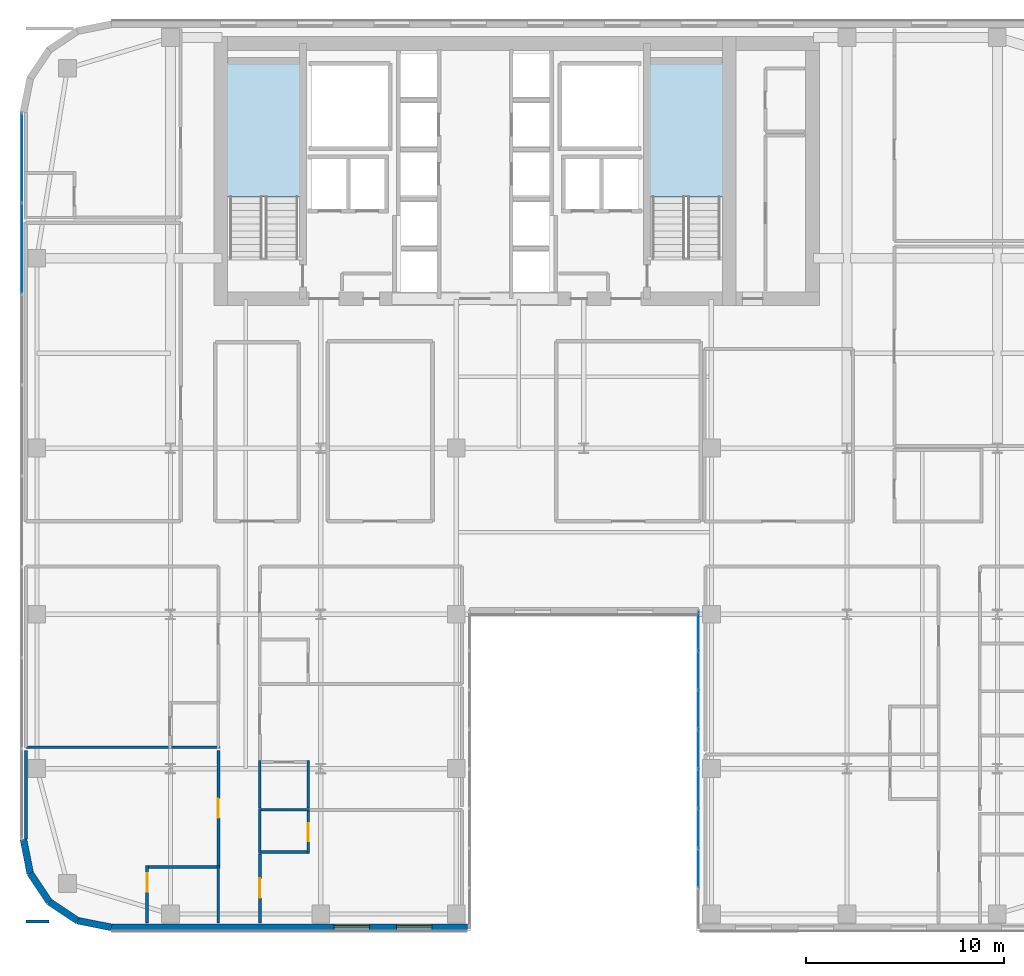
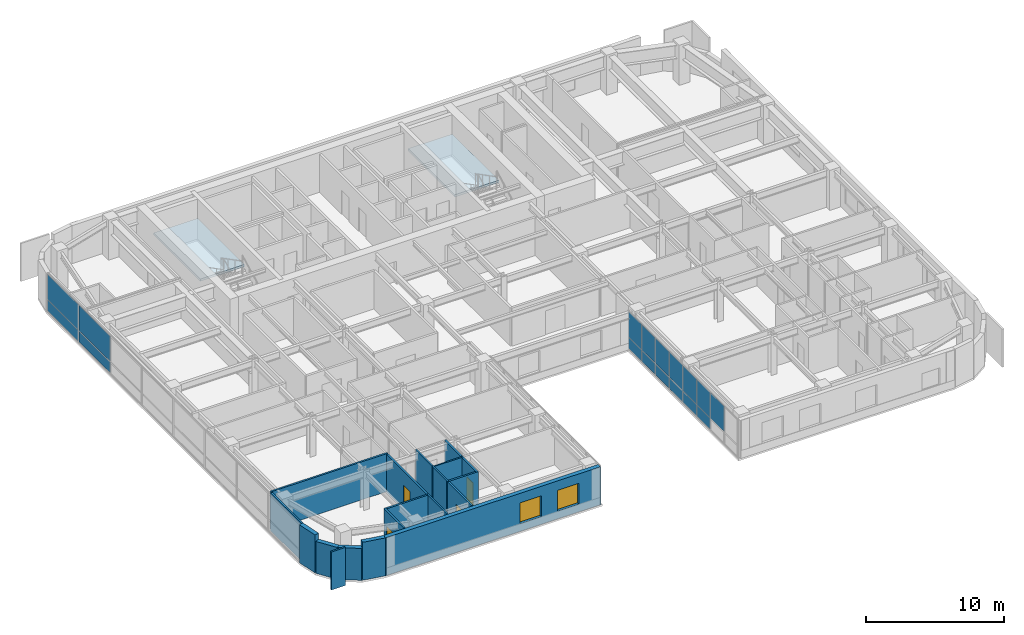
# One storey, part 26 of 37: 19 walls, 17 plates, 4 doors, 2 slabs, 2 windows, 6 openings, 4 elements without a shape of their own.
"""IFC4 building model written with IfcOpenShell, lengths in metres."""

from ifc_helpers import new_model, si_unit, direction, frame, frame_2d, origin, origin_2d, place, context, subcontext, project, spatial, polyline, rectangle, outline, extrude, source, transform, mapped, material, layer, layer_set, type_object, type_shapes, element, fill, aggregate, save


model = new_model("IFC4")

# Units and contexts
model_context = context("Model", 3, precision=1e-05, world=origin(), true_north=direction((0.0, 1.0)))
body_context = subcontext(model_context, "Body", "Model", "MODEL_VIEW")
ifc_project = project(units=[si_unit("LENGTHUNIT", "METRE"), si_unit("AREAUNIT", "SQUARE_METRE"), si_unit("VOLUMEUNIT", "CUBIC_METRE"), si_unit("PLANEANGLEUNIT", "RADIAN"), si_unit("MASSUNIT", "GRAM", prefix="KILO")], contexts=[model_context])

# Site, building, storey
site_placement = place(None, origin())
site = spatial("IfcSite", under=ifc_project, at=site_placement, CompositionType="ELEMENT")
building_placement = place(site_placement, origin())
building = spatial("IfcBuilding", under=site, at=building_placement, Name="Tolvann Quenvar Hotel", CompositionType="ELEMENT")
storey_placement = place(building_placement, frame((0.0, 0.0, 104.449951171875)))
storey = spatial("IfcBuildingStorey", under=building, at=storey_placement, Name="L26", CompositionType="ELEMENT", Elevation=104.449951171875)

# Stair, slab
ifc_material_1 = material(Name="Concrete N40 (40 MPa)", Category="concrete")
stair_type = type_object("IfcStairType", Name="STAIR", PredefinedType="HALF_TURN_STAIR", material=ifc_material_1)
stair_1_placement = place(storey_placement, origin())
stair_1 = element("IfcStair", 1, at=stair_1_placement, inside=storey, type_object=stair_type, Name="L26 ST-C1", PredefinedType="HALF_TURN_STAIR")
ifc_layer_1 = layer(ifc_material_1, 0.199951171875)
ifc_layer_set_1 = layer_set([ifc_layer_1], Name="Concrete N40 (40 MPa)")
slab_type = type_object("IfcSlabType", Name="SLAB_LANDING", PredefinedType="LANDING", material=ifc_layer_set_1)
slab_1_placement = place(storey_placement, frame((0.0, 0.0, 1.574951171875)))
slab_1 = element("IfcSlab", 2, at=slab_1_placement, type_object=slab_type, Name="ST-C1 landing 1", PredefinedType="LANDING", context=body_context, shape_type="SweptSolid", body=[
    extrude(outline(polyline([(14.179931640625, 37.10498046875), (14.179931640625, 43.8798828125), (10.469970703125, 43.8798828125), (10.469970703125, 37.10498046875), (14.179931640625, 37.10498046875)])), origin(), (0.0, 0.0, 1.0), 0.2001953125),
])
aggregate(stair_1, [slab_1])

stair_2_placement = place(storey_placement, origin())
stair_2 = element("IfcStair", 3, at=stair_2_placement, inside=storey, type_object=stair_type, Name="L26 ST-C2", PredefinedType="HALF_TURN_STAIR")
slab_2_placement = place(storey_placement, frame((0.0, 0.0, 1.574951171875)))
slab_2 = element("IfcSlab", 4, at=slab_2_placement, type_object=slab_type, Name="ST-C2 landing 1", PredefinedType="LANDING", context=body_context, shape_type="SweptSolid", body=[
    extrude(outline(polyline([(35.530029296875, 37.10498046875), (35.530029296875, 43.8798828125), (31.820068359375, 43.8798828125), (31.820068359375, 37.10498046875), (35.530029296875, 37.10498046875)])), origin(), (0.0, 0.0, 1.0), 0.2001953125),
])
aggregate(stair_2, [slab_2])

# Curtain wall, plates
ifc_material_2 = material(Name="Thermally broken anodised architectural aluminium 6063-T6 and laminated low-E glass", Category="aluminium")
ifc_layer_2 = layer(ifc_material_2, 0.179931640625)
ifc_layer_set_2 = layer_set([ifc_layer_2], Name="Thermally broken anodised architectural aluminium 6063-T6 and laminated low-E glass")
curtain_wall_type_1 = type_object("IfcCurtainWallType", Name="CW_SYS_SLOT_03", PredefinedType="USERDEFINED", material=ifc_layer_set_2)
curtain_wall_1_placement = place(storey_placement, origin())
curtain_wall_1 = element("IfcCurtainWall", 5, at=curtain_wall_1_placement, inside=storey, type_object=curtain_wall_type_1, Name="Curtain Wall CW-SLOT-03 (CWR-L26-E07)", ObjectType="UNITISED CURTAIN WALL", PredefinedType="USERDEFINED")
ifc_material_3 = material(Name="Low-iron laminated double glazing with solar-control coating", Category="glass")
ifc_layer_3 = layer(ifc_material_3, 0.028076171875)
ifc_layer_set_3 = layer_set([ifc_layer_3], Name="Low-iron laminated double glazing with solar-control coating")
plate_type = type_object("IfcPlateType", Name="CW_PAN_VISION_28", PredefinedType="CURTAIN_PANEL", material=ifc_layer_set_3)
shared_shape_1 = source(origin(), body_context, "Body", "SweptSolid", [
    extrude(rectangle(XDim=1.89501953125, YDim=0.028076171875, at=origin_2d()), origin(), (0.0, 0.0, 1.0), 0.9599609375),
])
plate_1_placement = place(storey_placement, frame((34.2900390625, 15.157470703125, 0.06005859375), z_axis=(0.0, 0.0, 1.0), x_axis=(0.0, -1.0, 0.0)))
plate_1 = element("IfcPlate", 6, at=plate_1_placement, type_object=plate_type, Name="CW-SLOT-03 panel 1.1", PredefinedType="CURTAIN_PANEL", context=body_context, shape_type="MappedRepresentation", body=[
    mapped(shared_shape_1, transform((0.0, 0.0, 0.0), x_axis=(1.0, 0.0, 0.0), y_axis=(0.0, 1.0, 0.0), z_axis=(0.0, 0.0, 1.0), scale=1.0)),
])
shared_shape_2 = source(origin(), body_context, "Body", "SweptSolid", [
    extrude(rectangle(XDim=1.89501953125, YDim=0.028076171875, at=origin_2d()), origin(), (0.0, 0.0, 1.0), 2.22998046875),
])
plate_2_placement = place(storey_placement, frame((34.2900390625, 15.157470703125, 1.080078125), z_axis=(0.0, 0.0, 1.0), x_axis=(0.0, -1.0, 0.0)))
plate_2 = element("IfcPlate", 7, at=plate_2_placement, type_object=plate_type, Name="CW-SLOT-03 panel 1.2", PredefinedType="CURTAIN_PANEL", context=body_context, shape_type="MappedRepresentation", body=[
    mapped(shared_shape_2, transform((0.0, 0.0, 0.0), x_axis=(1.0, 0.0, 0.0), y_axis=(0.0, 1.0, 0.0), z_axis=(0.0, 0.0, 1.0), scale=1.0)),
])
shared_shape_3 = source(origin(), body_context, "Body", "SweptSolid", [
    extrude(rectangle(XDim=1.929931640625, YDim=0.028076171875, at=origin_2d()), origin(), (0.0, 0.0, 1.0), 0.9599609375),
])
plate_3_placement = place(storey_placement, frame((34.2900390625, 13.175048828125, 0.06005859375), z_axis=(0.0, 0.0, 1.0), x_axis=(0.0, -1.0, 0.0)))
plate_3 = element("IfcPlate", 8, at=plate_3_placement, type_object=plate_type, Name="CW-SLOT-03 panel 2.1", PredefinedType="CURTAIN_PANEL", context=body_context, shape_type="MappedRepresentation", body=[
    mapped(shared_shape_3, transform((0.0, 0.0, 0.0), x_axis=(1.0, 0.0, 0.0), y_axis=(0.0, 1.0, 0.0), z_axis=(0.0, 0.0, 1.0), scale=1.0)),
])
plate_4_placement = place(storey_placement, frame((34.2900390625, 11.175048828125, 0.06005859375), z_axis=(0.0, 0.0, 1.0), x_axis=(0.0, -1.0, 0.0)))
plate_4 = element("IfcPlate", 9, at=plate_4_placement, type_object=plate_type, Name="CW-SLOT-03 panel 3.1", PredefinedType="CURTAIN_PANEL", context=body_context, shape_type="MappedRepresentation", body=[
    mapped(shared_shape_3, transform((0.0, 0.0, 0.0), x_axis=(1.0, 0.0, 0.0), y_axis=(0.0, 1.0, 0.0), z_axis=(0.0, 0.0, 1.0), scale=1.0)),
])
plate_5_placement = place(storey_placement, frame((34.2900390625, 9.175048828125, 0.06005859375), z_axis=(0.0, 0.0, 1.0), x_axis=(0.0, -1.0, 0.0)))
plate_5 = element("IfcPlate", 10, at=plate_5_placement, type_object=plate_type, Name="CW-SLOT-03 panel 4.1", PredefinedType="CURTAIN_PANEL", context=body_context, shape_type="MappedRepresentation", body=[
    mapped(shared_shape_3, transform((0.0, 0.0, 0.0), x_axis=(1.0, 0.0, 0.0), y_axis=(0.0, 1.0, 0.0), z_axis=(0.0, 0.0, 1.0), scale=1.0)),
])
plate_6_placement = place(storey_placement, frame((34.2900390625, 7.175048828125, 0.06005859375), z_axis=(0.0, 0.0, 1.0), x_axis=(0.0, -1.0, 0.0)))
plate_6 = element("IfcPlate", 11, at=plate_6_placement, type_object=plate_type, Name="CW-SLOT-03 panel 5.1", PredefinedType="CURTAIN_PANEL", context=body_context, shape_type="MappedRepresentation", body=[
    mapped(shared_shape_3, transform((0.0, 0.0, 0.0), x_axis=(1.0, 0.0, 0.0), y_axis=(0.0, 1.0, 0.0), z_axis=(0.0, 0.0, 1.0), scale=1.0)),
])
plate_7_placement = place(storey_placement, frame((34.2900390625, 5.175048828125, 0.06005859375), z_axis=(0.0, 0.0, 1.0), x_axis=(0.0, -1.0, 0.0)))
plate_7 = element("IfcPlate", 12, at=plate_7_placement, type_object=plate_type, Name="CW-SLOT-03 panel 6.1", PredefinedType="CURTAIN_PANEL", context=body_context, shape_type="MappedRepresentation", body=[
    mapped(shared_shape_3, transform((0.0, 0.0, 0.0), x_axis=(1.0, 0.0, 0.0), y_axis=(0.0, 1.0, 0.0), z_axis=(0.0, 0.0, 1.0), scale=1.0)),
])
shared_shape_4 = source(origin(), body_context, "Body", "SweptSolid", [
    extrude(rectangle(XDim=1.929931640625, YDim=0.028076171875, at=origin_2d()), origin(), (0.0, 0.0, 1.0), 2.22998046875),
])
plate_8_placement = place(storey_placement, frame((34.2900390625, 13.175048828125, 1.080078125), z_axis=(0.0, 0.0, 1.0), x_axis=(0.0, -1.0, 0.0)))
plate_8 = element("IfcPlate", 13, at=plate_8_placement, type_object=plate_type, Name="CW-SLOT-03 panel 2.2", PredefinedType="CURTAIN_PANEL", context=body_context, shape_type="MappedRepresentation", body=[
    mapped(shared_shape_4, transform((0.0, 0.0, 0.0), x_axis=(1.0, 0.0, 0.0), y_axis=(0.0, 1.0, 0.0), z_axis=(0.0, 0.0, 1.0), scale=1.0)),
])
plate_9_placement = place(storey_placement, frame((34.2900390625, 11.175048828125, 1.080078125), z_axis=(0.0, 0.0, 1.0), x_axis=(0.0, -1.0, 0.0)))
plate_9 = element("IfcPlate", 14, at=plate_9_placement, type_object=plate_type, Name="CW-SLOT-03 panel 3.2", PredefinedType="CURTAIN_PANEL", context=body_context, shape_type="MappedRepresentation", body=[
    mapped(shared_shape_4, transform((0.0, 0.0, 0.0), x_axis=(1.0, 0.0, 0.0), y_axis=(0.0, 1.0, 0.0), z_axis=(0.0, 0.0, 1.0), scale=1.0)),
])
plate_10_placement = place(storey_placement, frame((34.2900390625, 9.175048828125, 1.080078125), z_axis=(0.0, 0.0, 1.0), x_axis=(0.0, -1.0, 0.0)))
plate_10 = element("IfcPlate", 15, at=plate_10_placement, type_object=plate_type, Name="CW-SLOT-03 panel 4.2", PredefinedType="CURTAIN_PANEL", context=body_context, shape_type="MappedRepresentation", body=[
    mapped(shared_shape_4, transform((0.0, 0.0, 0.0), x_axis=(1.0, 0.0, 0.0), y_axis=(0.0, 1.0, 0.0), z_axis=(0.0, 0.0, 1.0), scale=1.0)),
])
plate_11_placement = place(storey_placement, frame((34.2900390625, 7.175048828125, 1.080078125), z_axis=(0.0, 0.0, 1.0), x_axis=(0.0, -1.0, 0.0)))
plate_11 = element("IfcPlate", 16, at=plate_11_placement, type_object=plate_type, Name="CW-SLOT-03 panel 5.2", PredefinedType="CURTAIN_PANEL", context=body_context, shape_type="MappedRepresentation", body=[
    mapped(shared_shape_4, transform((0.0, 0.0, 0.0), x_axis=(1.0, 0.0, 0.0), y_axis=(0.0, 1.0, 0.0), z_axis=(0.0, 0.0, 1.0), scale=1.0)),
])
plate_12_placement = place(storey_placement, frame((34.2900390625, 5.175048828125, 1.080078125), z_axis=(0.0, 0.0, 1.0), x_axis=(0.0, -1.0, 0.0)))
plate_12 = element("IfcPlate", 17, at=plate_12_placement, type_object=plate_type, Name="CW-SLOT-03 panel 6.2", PredefinedType="CURTAIN_PANEL", context=body_context, shape_type="MappedRepresentation", body=[
    mapped(shared_shape_4, transform((0.0, 0.0, 0.0), x_axis=(1.0, 0.0, 0.0), y_axis=(0.0, 1.0, 0.0), z_axis=(0.0, 0.0, 1.0), scale=1.0)),
])
plate_13_placement = place(storey_placement, frame((34.2900390625, 3.175048828125, 1.080078125), z_axis=(0.0, 0.0, 1.0), x_axis=(0.0, -1.0, 0.0)))
plate_13 = element("IfcPlate", 18, at=plate_13_placement, type_object=plate_type, Name="CW-SLOT-03 panel 7.2", PredefinedType="CURTAIN_PANEL", context=body_context, shape_type="MappedRepresentation", body=[
    mapped(shared_shape_4, transform((0.0, 0.0, 0.0), x_axis=(1.0, 0.0, 0.0), y_axis=(0.0, 1.0, 0.0), z_axis=(0.0, 0.0, 1.0), scale=1.0)),
])
aggregate(curtain_wall_1, [plate_1, plate_2, plate_3, plate_8, plate_4, plate_9, plate_5, plate_10, plate_6, plate_11, plate_7, plate_12, plate_13])

ifc_layer_4 = layer(ifc_material_2, 0.179931640625)
ifc_layer_set_4 = layer_set([ifc_layer_4], Name="Thermally broken anodised architectural aluminium 6063-T6 and laminated low-E glass")
curtain_wall_type_2 = type_object("IfcCurtainWallType", Name="CW_SYS_BAND_04", PredefinedType="USERDEFINED", material=ifc_layer_set_4)
curtain_wall_2_placement = place(storey_placement, origin())
curtain_wall_2 = element("IfcCurtainWall", 19, at=curtain_wall_2_placement, inside=storey, type_object=curtain_wall_type_2, Name="Curtain Wall CW-BAND-04 (CWR-L26-E23)", ObjectType="UNITISED CURTAIN WALL", PredefinedType="USERDEFINED")
shared_shape_5 = source(origin(), body_context, "Body", "SweptSolid", [
    extrude(rectangle(XDim=4.49072265625, YDim=0.028076171875, at=origin_2d()), origin(), (0.0, 0.0, 1.0), 0.9599609375),
])
plate_14_placement = place(storey_placement, frame((0.090087890625, 39.0673828125, 0.06005859375), z_axis=(0.0, 0.0, 1.0), x_axis=(0.0, -1.0, 0.0)))
plate_14 = element("IfcPlate", 20, at=plate_14_placement, type_object=plate_type, Name="CW-BAND-04 panel 1.1", PredefinedType="CURTAIN_PANEL", context=body_context, shape_type="MappedRepresentation", body=[
    mapped(shared_shape_5, transform((0.0, 0.0, 0.0), x_axis=(1.0, 0.0, 0.0), y_axis=(0.0, 1.0, 0.0), z_axis=(0.0, 0.0, 1.0), scale=1.0)),
])
shared_shape_6 = source(origin(), body_context, "Body", "SweptSolid", [
    extrude(rectangle(XDim=4.49072265625, YDim=0.028076171875, at=origin_2d()), origin(), (0.0, 0.0, 1.0), 2.22998046875),
])
plate_15_placement = place(storey_placement, frame((0.090087890625, 39.0673828125, 1.080078125), z_axis=(0.0, 0.0, 1.0), x_axis=(0.0, -1.0, 0.0)))
plate_15 = element("IfcPlate", 21, at=plate_15_placement, type_object=plate_type, Name="CW-BAND-04 panel 1.2", PredefinedType="CURTAIN_PANEL", context=body_context, shape_type="MappedRepresentation", body=[
    mapped(shared_shape_6, transform((0.0, 0.0, 0.0), x_axis=(1.0, 0.0, 0.0), y_axis=(0.0, 1.0, 0.0), z_axis=(0.0, 0.0, 1.0), scale=1.0)),
])
shared_shape_7 = source(origin(), body_context, "Body", "SweptSolid", [
    extrude(rectangle(XDim=4.525634765625, YDim=0.028076171875, at=origin_2d()), origin(), (0.0, 0.0, 1.0), 0.9599609375),
])
plate_16_placement = place(storey_placement, frame((0.090087890625, 34.4892578125, 0.06005859375), z_axis=(0.0, 0.0, 1.0), x_axis=(0.0, -1.0, 0.0)))
plate_16 = element("IfcPlate", 22, at=plate_16_placement, type_object=plate_type, Name="CW-BAND-04 panel 2.1", PredefinedType="CURTAIN_PANEL", context=body_context, shape_type="MappedRepresentation", body=[
    mapped(shared_shape_7, transform((0.0, 0.0, 0.0), x_axis=(1.0, 0.0, 0.0), y_axis=(0.0, 1.0, 0.0), z_axis=(0.0, 0.0, 1.0), scale=1.0)),
])
shared_shape_8 = source(origin(), body_context, "Body", "SweptSolid", [
    extrude(rectangle(XDim=4.525634765625, YDim=0.028076171875, at=origin_2d()), origin(), (0.0, 0.0, 1.0), 2.22998046875),
])
type_shapes(plate_type, [shared_shape_1, shared_shape_2, shared_shape_3, shared_shape_4, shared_shape_5, shared_shape_6, shared_shape_7, shared_shape_8])
plate_17_placement = place(storey_placement, frame((0.090087890625, 34.4892578125, 1.080078125), z_axis=(0.0, 0.0, 1.0), x_axis=(0.0, -1.0, 0.0)))
plate_17 = element("IfcPlate", 23, at=plate_17_placement, type_object=plate_type, Name="CW-BAND-04 panel 2.2", PredefinedType="CURTAIN_PANEL", context=body_context, shape_type="MappedRepresentation", body=[
    mapped(shared_shape_8, transform((0.0, 0.0, 0.0), x_axis=(1.0, 0.0, 0.0), y_axis=(0.0, 1.0, 0.0), z_axis=(0.0, 0.0, 1.0), scale=1.0)),
])
aggregate(curtain_wall_2, [plate_14, plate_15, plate_16, plate_17])

# Walls
ifc_material_4 = material(Name="Kiln-fired red and buff architectural clay brickwork and terracotta masonry", Category="masonry")
ifc_layer_5 = layer(ifc_material_4, 0.35009765625)
ifc_layer_set_5 = layer_set([ifc_layer_5], Name="Kiln-fired red and buff architectural clay brickwork and terracotta masonry")
wall_type_1 = type_object("IfcWallType", Name="WALL_EXT_BRICK_350", PredefinedType="SOLIDWALL", material=ifc_layer_set_5)
for number, where, z_axis, x_axis, name in (
    (24, (0.514892578125, 2.907958984375, 0.0), (0.0, 0.0, 1.0), (0.55554893791, -0.831483840845, 0.0), "Exterior Chicago Brick Wall L26-E01"),
    (25, (1.473388671875, 1.473388671875, 0.0), (0.0, 0.0, 1.0), (0.831483840845, -0.55554893791, 0.0), "Exterior Chicago Brick Wall L26-E02"),
):
    element("IfcWall", number, at=place(storey_placement, frame(where, z_axis=z_axis, x_axis=x_axis)), inside=storey, type_object=wall_type_1, Name=name, PredefinedType="SOLIDWALL", context=body_context, shape_type="SweptSolid", body=[
        extrude(rectangle(XDim=1.725341796875, YDim=0.35009765625, at=frame_2d((0.86279296875, 0.0))), origin(), (0.0, 0.0, 1.0), 2.83203125),
    ])
wall_1_placement = place(storey_placement, frame((2.907958984375, 0.514892578125, 0.0), z_axis=(0.0, 0.0, 1.0), x_axis=(0.980800971659, -0.195011420161, 0.0)))
element("IfcWall", 26, at=wall_1_placement, inside=storey, type_object=wall_type_1, Name="Exterior Chicago Brick Wall L26-E03", PredefinedType="SOLIDWALL", context=body_context, shape_type="SweptSolid", body=[
    extrude(rectangle(XDim=1.74267578125, YDim=0.35009765625, at=frame_2d((0.871337890625, 0.0))), origin(), (0.0, 0.0, 1.0), 3.3701171875),
])

# Wall, openings, windows
wall_2_placement = place(storey_placement, frame((4.6171875, 0.175048828125, 0.0), z_axis=(0.0, 0.0, 1.0), x_axis=(1.0, 0.0, 0.0)))
wall_2 = element("IfcWall", 27, at=wall_2_placement, inside=storey, type_object=wall_type_1, Name="Exterior Chicago Brick Wall L26-E04", PredefinedType="SOLIDWALL", context=body_context, shape_type="SweptSolid", body=[
    extrude(rectangle(XDim=18.0078125, YDim=0.35009765625, at=frame_2d((9.00390625, 0.0))), origin(), (0.0, 0.0, 1.0), 3.3701171875),
])
opening_1_placement = place(wall_2_placement, frame((11.2548828125, 0.0, 0.679931640625)))
opening_1 = element("IfcOpeningElement", 28, at=opening_1_placement, cuts=wall_2, Name="Opening W-03", PredefinedType="OPENING", context=body_context, shape_type="SweptSolid", body=[
    extrude(rectangle(XDim=1.800048828125, YDim=1.85009765625, at=frame_2d((0.89990234375, 0.925048828125))), frame((0.0, 0.18505859375, 0.0), z_axis=(0.0, -1.0, 0.0), x_axis=(1.0, 0.0, 0.0)), (0.0, 0.0, 1.0), 0.3701171875),
])
opening_2_placement = place(wall_2_placement, frame((14.406982421875, 0.0, 0.679931640625)))
opening_2 = element("IfcOpeningElement", 29, at=opening_2_placement, cuts=wall_2, Name="Opening W-03", PredefinedType="OPENING", context=body_context, shape_type="SweptSolid", body=[
    extrude(rectangle(XDim=1.800048828125, YDim=1.85009765625, at=frame_2d((0.89990234375, 0.925048828125))), frame((0.0, 0.18505859375, 0.0), z_axis=(0.0, -1.0, 0.0), x_axis=(1.0, 0.0, 0.0)), (0.0, 0.0, 1.0), 0.3701171875),
])
ifc_material_5 = material(Name="Thermally broken bronze-anodised aluminium frame with double low-E glazing", Category="aluminium")
window_type = type_object("IfcWindowType", Name="WIN_CHI_1800x2050", PartitioningType="TRIPLE_PANEL_HORIZONTAL", PredefinedType="WINDOW", material=ifc_material_5)
shared_shape_9 = source(origin(), body_context, "Body", "SweptSolid", [
    extrude(rectangle(XDim=1.800048828125, YDim=1.85009765625, at=frame_2d((0.89990234375, 0.925048828125))), frame((0.0, 0.090087890625, 0.0), z_axis=(0.0, -1.0, 0.0), x_axis=(1.0, 0.0, 0.0)), (0.0, 0.0, 1.0), 0.06005859375),
])
type_shapes(window_type, [shared_shape_9])
window_1_placement = place(opening_1_placement, origin())
window_1 = element("IfcWindow", 30, at=window_1_placement, inside=storey, type_object=window_type, Name="Chicago Window W-03 (EW-L26-E04-W01)", OverallHeight=1.85009765625, OverallWidth=1.800048828125, PartitioningType="TRIPLE_PANEL_HORIZONTAL", PredefinedType="WINDOW", context=body_context, shape_type="MappedRepresentation", body=[
    mapped(shared_shape_9, transform((0.0, 0.0, 0.0), x_axis=(1.0, 0.0, 0.0), y_axis=(0.0, 1.0, 0.0), z_axis=(0.0, 0.0, 1.0), scale=1.0)),
])
fill(opening_1, window_1)
window_2_placement = place(opening_2_placement, origin())
window_2 = element("IfcWindow", 31, at=window_2_placement, inside=storey, type_object=window_type, Name="Chicago Window W-03 (EW-L26-E04-W02)", OverallHeight=1.85009765625, OverallWidth=1.800048828125, PartitioningType="TRIPLE_PANEL_HORIZONTAL", PredefinedType="WINDOW", context=body_context, shape_type="MappedRepresentation", body=[
    mapped(shared_shape_9, transform((0.0, 0.0, 0.0), x_axis=(1.0, 0.0, 0.0), y_axis=(0.0, 1.0, 0.0), z_axis=(0.0, 0.0, 1.0), scale=1.0)),
])
fill(opening_2, window_2)

# Walls
wall_3_placement = place(storey_placement, frame((0.175048828125, 4.6171875, 0.0), z_axis=(0.0, 0.0, 1.0), x_axis=(0.195011420161, -0.980800971659, 0.0)))
element("IfcWall", 32, at=wall_3_placement, inside=storey, type_object=wall_type_1, Name="Exterior Chicago Brick Wall L26-E24", PredefinedType="SOLIDWALL", context=body_context, shape_type="SweptSolid", body=[
    extrude(rectangle(XDim=1.74267578125, YDim=0.35009765625, at=frame_2d((0.871337890625, 0.0))), origin(), (0.0, 0.0, 1.0), 3.3701171875),
])
ifc_material_6 = material(Name="Moisture-resistant acoustic plumbing wall assembly")
ifc_layer_6 = layer(ifc_material_6, 0.1201171875)
ifc_layer_set_6 = layer_set([ifc_layer_6], Name="Moisture-resistant acoustic plumbing wall assembly")
wall_type_2 = type_object("IfcWallType", Name="WALL_PART_BATH_120", PredefinedType="PLUMBINGWALL", material=ifc_layer_set_6)
wall_4_placement = place(storey_placement, frame((10.030029296875, 0.405029296875, 0.0), z_axis=(0.0, 0.0, 1.0), x_axis=(0.0, 1.0, 0.0)))
element("IfcWall", 33, at=wall_4_placement, inside=storey, type_object=wall_type_2, Name="Non-Rated Plumbing Partition PT-SPC-L26-ENS-WO01-E", PredefinedType="PLUMBINGWALL", context=body_context, shape_type="SweptSolid", body=[
    extrude(rectangle(XDim=2.89501953125, YDim=0.1201171875, at=frame_2d((1.447509765625, 0.0))), origin(), (0.0, 0.0, 1.0), 3.3701171875),
])
wall_5_placement = place(storey_placement, frame((12.050048828125, 6.1201171875, 0.0), z_axis=(0.0, 0.0, 1.0), x_axis=(1.0, 0.0, 0.0)))
element("IfcWall", 34, at=wall_5_placement, inside=storey, type_object=wall_type_2, Name="Non-Rated Plumbing Partition PT-SPC-L26-ENS-WI01-N", PredefinedType="PLUMBINGWALL", context=body_context, shape_type="SweptSolid", body=[
    extrude(rectangle(XDim=2.58984375, YDim=0.1201171875, at=frame_2d((1.294921875, 0.0))), origin(), (0.0, 0.0, 1.0), 3.3701171875),
])
wall_6_placement = place(storey_placement, frame((12.1201171875, 3.906982421875, 0.0), z_axis=(0.0, 0.0, 1.0), x_axis=(0.0, 1.0, 0.0)))
element("IfcWall", 35, at=wall_6_placement, inside=storey, type_object=wall_type_2, Name="Non-Rated Plumbing Partition PT-SPC-L26-ENS-WI01-W", PredefinedType="PLUMBINGWALL", context=body_context, shape_type="SweptSolid", body=[
    extrude(rectangle(XDim=2.282958984375, YDim=0.1201171875, at=frame_2d((1.1416015625, 0.0))), origin(), (0.0, 0.0, 1.0), 3.3701171875),
])
wall_7_placement = place(storey_placement, frame((12.1201171875, 6.2099609375, 0.0), z_axis=(0.0, 0.0, 1.0), x_axis=(0.0, 1.0, 0.0)))
element("IfcWall", 36, at=wall_7_placement, inside=storey, type_object=wall_type_2, Name="Non-Rated Plumbing Partition PT-SPC-L26-ENS-WI02-W", PredefinedType="PLUMBINGWALL", context=body_context, shape_type="SweptSolid", body=[
    extrude(rectangle(XDim=2.39013671875, YDim=0.1201171875, at=frame_2d((1.195068359375, 0.0))), origin(), (0.0, 0.0, 1.0), 3.3701171875),
])

# Wall, opening, door
ifc_material_7 = material(Name="Acoustic twin-stud fire-rated gypsum plasterboard partition")
ifc_layer_7 = layer(ifc_material_7, 0.14990234375)
ifc_layer_set_7 = layer_set([ifc_layer_7], Name="Acoustic twin-stud fire-rated gypsum plasterboard partition")
wall_type_3 = type_object("IfcWallType", Name="WALL_PART_SUITE_150", PredefinedType="PARTITIONING", material=ifc_layer_set_7)
wall_8_placement = place(storey_placement, frame((6.429931640625, 0.405029296875, 0.0), z_axis=(0.0, 0.0, 1.0), x_axis=(0.0, 1.0, 0.0)))
wall_8 = element("IfcWall", 37, at=wall_8_placement, inside=storey, type_object=wall_type_3, Name="Interior Partition PT-SPC-L26-ENS-WO01-ENT", PredefinedType="PARTITIONING", context=body_context, shape_type="SweptSolid", body=[
    extrude(rectangle(XDim=2.89501953125, YDim=0.14990234375, at=frame_2d((1.447509765625, 0.0))), origin(), (0.0, 0.0, 1.0), 3.3701171875),
])
opening_3_placement = place(wall_8_placement, frame((1.580078125, 0.0, 0.0)))
opening_3 = element("IfcOpeningElement", 38, at=opening_3_placement, cuts=wall_8, Name="Opening WD-01", PredefinedType="OPENING", context=body_context, shape_type="SweptSolid", body=[
    extrude(rectangle(XDim=0.919921875, YDim=2.010009765625, at=frame_2d((0.4599609375, 1.0048828125))), frame((0.0, 0.0849609375, 0.0), z_axis=(0.0, -1.0, 0.0), x_axis=(1.0, 0.0, 0.0)), (0.0, 0.0, 1.0), 0.169921875),
])
ifc_material_8 = material(Name="Solid-core American oak acoustic fire door leaf in steel frame", Category="steel")
door_type_1 = type_object("IfcDoorType", Name="DOOR_WC_920", OperationType="NOTDEFINED", PredefinedType="DOOR", material=ifc_material_8)
shared_shape_10 = source(origin(), body_context, "Body", "SweptSolid", [
    extrude(rectangle(XDim=0.919921875, YDim=2.010009765625, at=frame_2d((0.4599609375, 1.0048828125))), frame((0.0, 0.02490234375, 0.0), z_axis=(0.0, -1.0, 0.0), x_axis=(1.0, 0.0, 0.0)), (0.0, 0.0, 1.0), 0.050048828125),
])
type_shapes(door_type_1, [shared_shape_10])
door_1_placement = place(opening_3_placement, origin())
door_1 = element("IfcDoor", 39, at=door_1_placement, inside=storey, type_object=door_type_1, Name="Interior Door DOOR-SPC-L26-ENS-WO01", OperationType="SINGLE_SWING_LEFT", OverallHeight=2.010009765625, OverallWidth=0.919921875, PredefinedType="DOOR", context=body_context, shape_type="MappedRepresentation", body=[
    mapped(shared_shape_10, transform((0.0, 0.0, 0.0), x_axis=(1.0, 0.0, 0.0), y_axis=(0.0, 1.0, 0.0), z_axis=(0.0, 0.0, 1.0), scale=1.0)),
])
fill(opening_3, door_1)

# Walls
wall_9_placement = place(storey_placement, frame((6.360107421875, 3.22998046875, 0.0), z_axis=(0.0, 0.0, 1.0), x_axis=(1.0, 0.0, 0.0)))
element("IfcWall", 40, at=wall_9_placement, inside=storey, type_object=wall_type_3, Name="Interior Partition PT-SPC-L26-ENS-WO01-N", PredefinedType="PARTITIONING", context=body_context, shape_type="SweptSolid", body=[
    extrude(rectangle(XDim=3.739990234375, YDim=0.14990234375, at=frame_2d((1.8701171875, 0.0))), origin(), (0.0, 0.0, 1.0), 3.3701171875),
])
wall_10_placement = place(storey_placement, frame((0.300048828125, 9.280029296875, 0.0), z_axis=(0.0, 0.0, 1.0), x_axis=(1.0, 0.0, 0.0)))
element("IfcWall", 41, at=wall_10_placement, inside=storey, type_object=wall_type_3, Name="Interior Partition PT-SPC-L26-ENS-WO02-S", PredefinedType="PARTITIONING", context=body_context, shape_type="SweptSolid", body=[
    extrude(rectangle(XDim=9.800048828125, YDim=0.14990234375, at=frame_2d((4.89990234375, 0.0))), origin(), (0.0, 0.0, 1.0), 3.3701171875),
])

# Wall, opening, door
wall_11_placement = place(storey_placement, frame((14.570068359375, 3.906982421875, 0.0), z_axis=(0.0, 0.0, 1.0), x_axis=(0.0, 1.0, 0.0)))
wall_11 = element("IfcWall", 42, at=wall_11_placement, inside=storey, type_object=wall_type_3, Name="Interior Partition PT-SPC-L26-ENS-WI01-ENT", PredefinedType="PARTITIONING", context=body_context, shape_type="SweptSolid", body=[
    extrude(rectangle(XDim=2.282958984375, YDim=0.14990234375, at=frame_2d((1.1416015625, 0.0))), origin(), (0.0, 0.0, 1.0), 3.3701171875),
])
opening_4_placement = place(wall_11_placement, frame((0.611572265625, 0.0, 0.0)))
opening_4 = element("IfcOpeningElement", 43, at=opening_4_placement, cuts=wall_11, Name="Opening WD-01", PredefinedType="OPENING", context=body_context, shape_type="SweptSolid", body=[
    extrude(rectangle(XDim=0.919921875, YDim=2.010009765625, at=frame_2d((0.4599609375, 1.0048828125))), frame((0.0, 0.0849609375, 0.0), z_axis=(0.0, -1.0, 0.0), x_axis=(1.0, 0.0, 0.0)), (0.0, 0.0, 1.0), 0.169921875),
])
door_2_placement = place(opening_4_placement, origin())
door_2 = element("IfcDoor", 44, at=door_2_placement, inside=storey, type_object=door_type_1, Name="Interior Door DOOR-SPC-L26-ENS-WI01", OperationType="SINGLE_SWING_LEFT", OverallHeight=2.010009765625, OverallWidth=0.919921875, PredefinedType="DOOR", context=body_context, shape_type="MappedRepresentation", body=[
    mapped(shared_shape_10, transform((0.0, 0.0, 0.0), x_axis=(1.0, 0.0, 0.0), y_axis=(0.0, 1.0, 0.0), z_axis=(0.0, 0.0, 1.0), scale=1.0)),
])
fill(opening_4, door_2)

# Walls
wall_12_placement = place(storey_placement, frame((12.050048828125, 3.97705078125, 0.0), z_axis=(0.0, 0.0, 1.0), x_axis=(1.0, 0.0, 0.0)))
element("IfcWall", 45, at=wall_12_placement, inside=storey, type_object=wall_type_3, Name="Interior Partition PT-SPC-L26-ENS-WI01-S", PredefinedType="PARTITIONING", context=body_context, shape_type="SweptSolid", body=[
    extrude(rectangle(XDim=2.58984375, YDim=0.14990234375, at=frame_2d((1.294921875, 0.0))), origin(), (0.0, 0.0, 1.0), 3.3701171875),
])
wall_13_placement = place(storey_placement, frame((14.570068359375, 6.2099609375, 0.0), z_axis=(0.0, 0.0, 1.0), x_axis=(0.0, 1.0, 0.0)))
element("IfcWall", 46, at=wall_13_placement, inside=storey, type_object=wall_type_3, Name="Interior Partition PT-SPC-L26-ENS-WI02-ENT", PredefinedType="PARTITIONING", context=body_context, shape_type="SweptSolid", body=[
    extrude(rectangle(XDim=2.39013671875, YDim=0.14990234375, at=frame_2d((1.195068359375, 0.0))), origin(), (0.0, 0.0, 1.0), 3.3701171875),
])

# Wall, opening, door
wall_14_placement = place(storey_placement, frame((10.030029296875, 3.31005859375, 0.0), z_axis=(0.0, 0.0, 1.0), x_axis=(0.0, 1.0, 0.0)))
wall_14 = element("IfcWall", 47, at=wall_14_placement, inside=storey, type_object=wall_type_3, Name="Interior Partition PT-SPC-L26-RM-WO01-ENT", PredefinedType="PARTITIONING", context=body_context, shape_type="SweptSolid", body=[
    extrude(rectangle(XDim=5.81005859375, YDim=0.14990234375, at=frame_2d((2.905029296875, 0.0))), origin(), (0.0, 0.0, 1.0), 3.3701171875),
])
opening_5_placement = place(wall_14_placement, frame((2.39501953125, 0.0, 0.0)))
opening_5 = element("IfcOpeningElement", 48, at=opening_5_placement, cuts=wall_14, Name="Opening SD-01", PredefinedType="OPENING", context=body_context, shape_type="SweptSolid", body=[
    extrude(rectangle(XDim=0.97998046875, YDim=2.1201171875, at=frame_2d((0.489990234375, 1.06005859375))), frame((0.0, 0.0849609375, 0.0), z_axis=(0.0, -1.0, 0.0), x_axis=(1.0, 0.0, 0.0)), (0.0, 0.0, 1.0), 0.169921875),
])
door_type_2 = type_object("IfcDoorType", Name="DOOR_SUITE_980", OperationType="NOTDEFINED", PredefinedType="DOOR", material=ifc_material_8)
shared_shape_11 = source(origin(), body_context, "Body", "SweptSolid", [
    extrude(rectangle(XDim=0.97998046875, YDim=2.1201171875, at=frame_2d((0.489990234375, 1.06005859375))), frame((0.0, 0.02490234375, 0.0), z_axis=(0.0, -1.0, 0.0), x_axis=(1.0, 0.0, 0.0)), (0.0, 0.0, 1.0), 0.050048828125),
])
type_shapes(door_type_2, [shared_shape_11])
door_3_placement = place(opening_5_placement, origin())
door_3 = element("IfcDoor", 49, at=door_3_placement, inside=storey, type_object=door_type_2, Name="Interior Door DOOR-SPC-L26-RM-WO01", OperationType="SINGLE_SWING_LEFT", OverallHeight=2.1201171875, OverallWidth=0.97998046875, PredefinedType="DOOR", context=body_context, shape_type="MappedRepresentation", body=[
    mapped(shared_shape_11, transform((0.0, 0.0, 0.0), x_axis=(1.0, 0.0, 0.0), y_axis=(0.0, 1.0, 0.0), z_axis=(0.0, 0.0, 1.0), scale=1.0)),
])
fill(opening_5, door_3)

# Walls
wall_15_placement = place(storey_placement, frame((0.300048828125, 0.47998046875, 0.0), z_axis=(0.0, 0.0, 1.0), x_axis=(1.0, 0.0, 0.0)))
element("IfcWall", 50, at=wall_15_placement, inside=storey, type_object=wall_type_3, Name="Interior Partition PT-SPC-L26-RM-WO01-E1", PredefinedType="PARTITIONING", context=body_context, shape_type="SweptSolid", body=[
    extrude(rectangle(XDim=1.174072265625, YDim=0.14990234375, at=frame_2d((0.5869140625, 0.0))), origin(), (0.0, 0.0, 1.0), 3.3701171875),
])
wall_16_placement = place(storey_placement, frame((0.300048828125, 4.64208984375, 0.0), z_axis=(0.0, 0.0, 1.0), x_axis=(0.0, 1.0, 0.0)))
element("IfcWall", 51, at=wall_16_placement, inside=storey, type_object=wall_type_3, Name="Interior Partition PT-SPC-L26-RM-WO01-E6", PredefinedType="PARTITIONING", context=body_context, shape_type="SweptSolid", body=[
    extrude(rectangle(XDim=4.47802734375, YDim=0.14990234375, at=frame_2d((2.239013671875, 0.0))), origin(), (0.0, 0.0, 1.0), 3.3701171875),
])

# Wall, opening, door
wall_17_placement = place(storey_placement, frame((12.1201171875, 0.405029296875, 0.0), z_axis=(0.0, 0.0, 1.0), x_axis=(0.0, 1.0, 0.0)))
wall_17 = element("IfcWall", 52, at=wall_17_placement, inside=storey, type_object=wall_type_3, Name="Interior Partition PT-SPC-L26-RM-WI01-ENT", PredefinedType="PARTITIONING", context=body_context, shape_type="SweptSolid", body=[
    extrude(rectangle(XDim=3.491943359375, YDim=0.14990234375, at=frame_2d((1.74609375, 0.0))), origin(), (0.0, 0.0, 1.0), 3.3701171875),
])
opening_6_placement = place(wall_17_placement, frame((1.263427734375, 0.0, 0.0)))
opening_6 = element("IfcOpeningElement", 53, at=opening_6_placement, cuts=wall_17, Name="Opening SD-01", PredefinedType="OPENING", context=body_context, shape_type="SweptSolid", body=[
    extrude(rectangle(XDim=0.97998046875, YDim=2.1201171875, at=frame_2d((0.489990234375, 1.06005859375))), frame((0.0, 0.0849609375, 0.0), z_axis=(0.0, -1.0, 0.0), x_axis=(1.0, 0.0, 0.0)), (0.0, 0.0, 1.0), 0.169921875),
])
door_4_placement = place(opening_6_placement, origin())
door_4 = element("IfcDoor", 54, at=door_4_placement, inside=storey, type_object=door_type_2, Name="Interior Door DOOR-SPC-L26-RM-WI01", OperationType="SINGLE_SWING_LEFT", OverallHeight=2.1201171875, OverallWidth=0.97998046875, PredefinedType="DOOR", context=body_context, shape_type="MappedRepresentation", body=[
    mapped(shared_shape_11, transform((0.0, 0.0, 0.0), x_axis=(1.0, 0.0, 0.0), y_axis=(0.0, 1.0, 0.0), z_axis=(0.0, 0.0, 1.0), scale=1.0)),
])
fill(opening_6, door_4)

save(model, "model.ifc")
